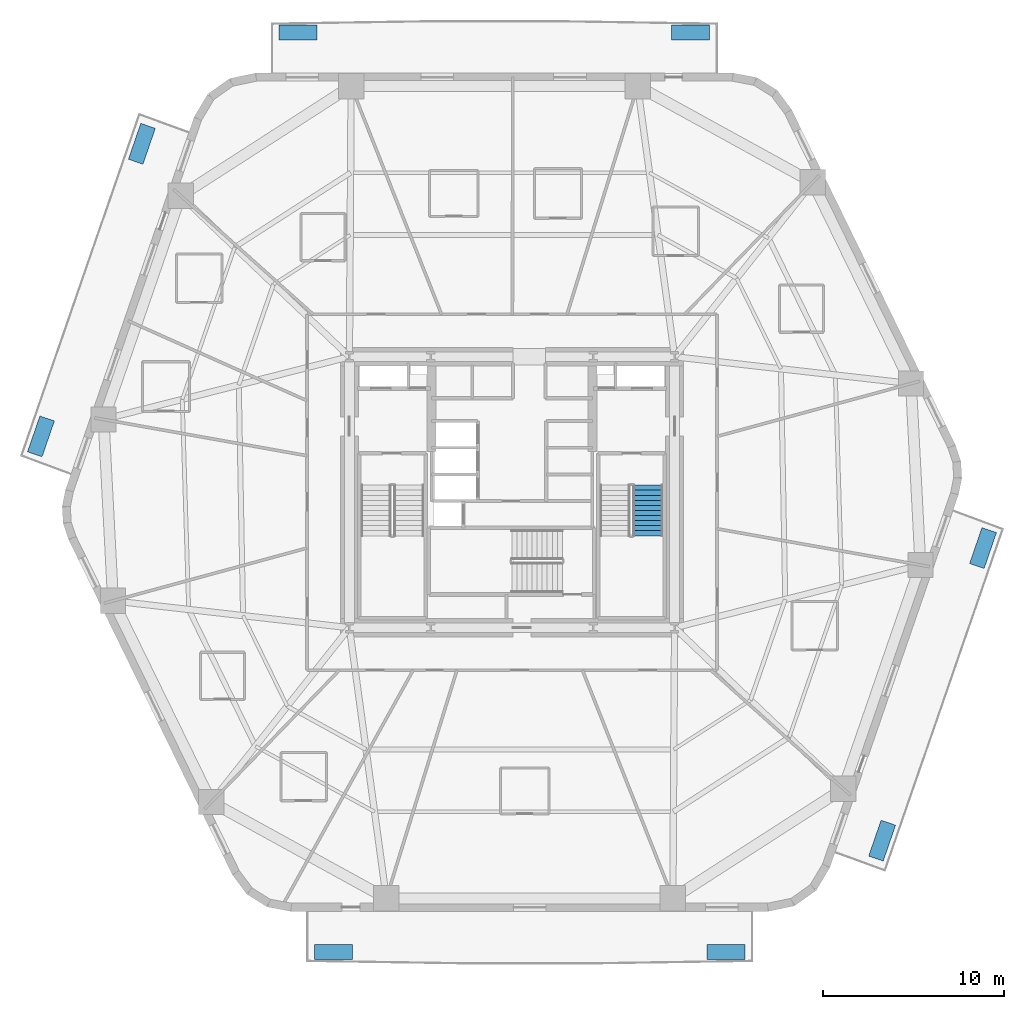
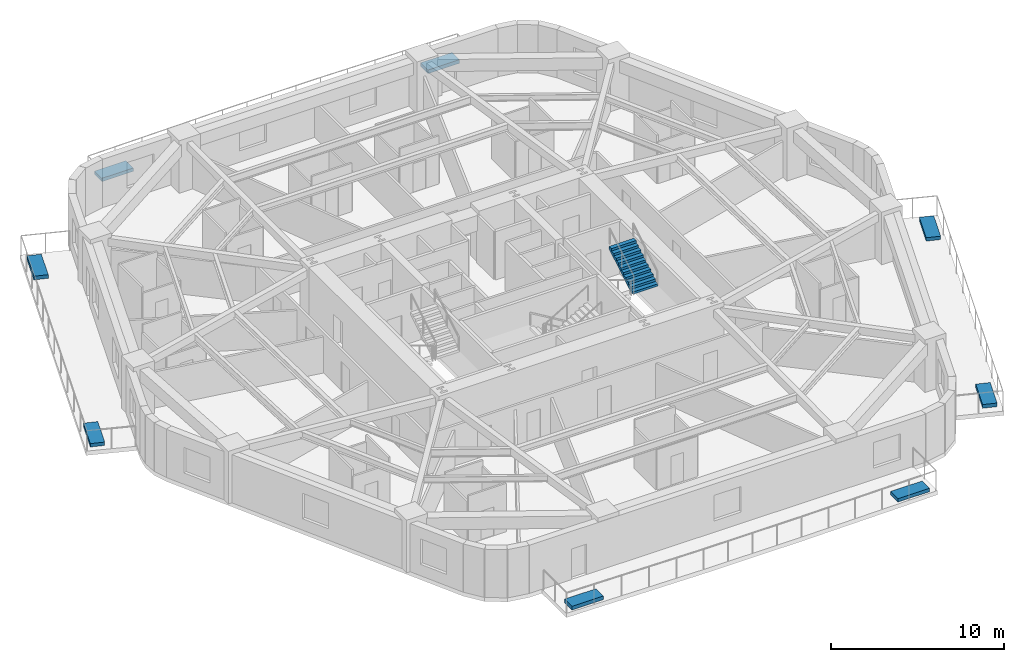
# One storey, part 7 of 10: 8 discrete accessories, 1 stair flight, 1 element without a shape of its own.
"""IFC4 building model written with IfcOpenShell, lengths in metres."""

from ifc_helpers import new_model, si_unit, direction, frame, origin, origin_2d, place, context, subcontext, project, spatial, polyline, rectangle, outline, extrude, material, type_object, element, aggregate, save


model = new_model("IFC4")

# Units and contexts
model_context = context("Model", 3, precision=1e-05, world=origin(), true_north=direction((0.0, 1.0)))
body_context = subcontext(model_context, "Body", "Model", "MODEL_VIEW")
ifc_project = project(units=[si_unit("LENGTHUNIT", "METRE"), si_unit("AREAUNIT", "SQUARE_METRE"), si_unit("VOLUMEUNIT", "CUBIC_METRE"), si_unit("PLANEANGLEUNIT", "RADIAN"), si_unit("MASSUNIT", "GRAM", prefix="KILO")], contexts=[model_context])

# Site, building, storey
site_placement = place(None, origin())
site = spatial("IfcSite", under=ifc_project, at=site_placement, CompositionType="ELEMENT")
building_placement = place(site_placement, origin())
building = spatial("IfcBuilding", under=site, at=building_placement, Name="Kilnhurst Terrace Hotel", CompositionType="ELEMENT")
storey_placement = place(building_placement, frame((0.0, 0.0, 74.89990234375)))
storey = spatial("IfcBuildingStorey", under=building, at=storey_placement, Name="L17", CompositionType="ELEMENT", Elevation=74.89990234375)

# Stair, stair flight
ifc_material_1 = material(Name="Concrete C50/60", Category="concrete")
stair_type = type_object("IfcStairType", Name="STR-CORE-1660", PredefinedType="HALF_TURN_STAIR", material=ifc_material_1)
stair_placement = place(storey_placement, origin())
stair = element("IfcStair", 1, at=stair_placement, inside=storey, type_object=stair_type, Name="L17 ST-2", PredefinedType="HALF_TURN_STAIR")
stair_flight_type = type_object("IfcStairFlightType", Name="FLT-RC-1660", PredefinedType="STRAIGHT", material=ifc_material_1)
stair_flight_placement = place(storey_placement, frame((7.52001953125, -2.409912109375, 1.85009765625), z_axis=(0.0, 0.0, 1.0), x_axis=(0.0, 1.0, 0.0)))
stair_flight = element("IfcStairFlight", 2, at=stair_flight_placement, type_object=stair_flight_type, Name="ST-2 flight 2", NumberOfRisers=11, NumberOfTreads=10, PredefinedType="STRAIGHT", RiserHeight=0.168181818, TreadLength=0.28, context=body_context, shape_type="SweptSolid", body=[
    extrude(outline(polyline([(0.0, 0.0), (0.0, 0.168212890625), (0.280029296875, 0.168212890625), (0.280029296875, 0.33642578125), (0.56005859375, 0.33642578125), (0.56005859375, 0.504638671875), (0.840087890625, 0.504638671875), (0.840087890625, 0.672607421875), (1.1201171875, 0.672607421875), (1.1201171875, 0.8408203125), (1.39990234375, 0.8408203125), (1.39990234375, 1.009033203125), (1.679931640625, 1.009033203125), (1.679931640625, 1.17724609375), (1.9599609375, 1.17724609375), (1.9599609375, 1.345458984375), (2.239990234375, 1.345458984375), (2.239990234375, 1.513671875), (2.52001953125, 1.513671875), (2.52001953125, 1.681884765625), (2.800048828125, 1.681884765625), (2.800048828125, 1.85009765625), (2.800048828125, 1.5068359375), (0.291015625, 0.0), (0.0, 0.0)])), frame((0.0, 0.830078125, 0.0), z_axis=(0.0, -1.0, 0.0), x_axis=(1.0, 0.0, 0.0)), (0.0, 0.0, 1.0), 1.659912109375),
])
aggregate(stair, [stair_flight])

# Discrete accessories
ifc_material_2 = material(Name="Precast Concrete C40/50 Shrub Planter", Category="concrete")
discrete_accessory_type_1 = type_object("IfcDiscreteAccessoryType", Name="PLN-SHRUB-240", PredefinedType="USERDEFINED", material=ifc_material_2)
for number, where, z_axis, x_axis, name in (
    (3, (11.841552734375, -25.449951171875, 0.0), (0.0, 0.0, 1.0), (1.0, 0.0, 0.0), "L17 Structural Tree Planter Box PLANTER BAL-L1A.2"),
    (4, (26.073486328125, -3.09130859375, 0.0), (0.0, 0.0, 1.0), (0.326063182175, 0.94534797891, 0.0), "L17 Structural Tree Planter Box PLANTER BAL-L1B.2"),
    (5, (-11.841552734375, 25.449951171875, 0.0), (0.0, 0.0, 1.0), (-1.0, 0.0, 0.0), "L17 Structural Tree Planter Box PLANTER BAL-L2A.2"),
    (6, (-26.073486328125, 3.09130859375, 0.0), (0.0, 0.0, 1.0), (-0.326063182175, -0.94534797891, 0.0), "L17 Structural Tree Planter Box PLANTER BAL-L2B.2"),
):
    element("IfcDiscreteAccessory", number, at=place(storey_placement, frame(where, z_axis=z_axis, x_axis=x_axis)), inside=storey, type_object=discrete_accessory_type_1, Name=name, ObjectType="PLANTER", PredefinedType="USERDEFINED", context=body_context, shape_type="SweptSolid", body=[
        extrude(rectangle(XDim=2.10009765625, YDim=0.85009765625, at=origin_2d()), origin(), (0.0, 0.0, 1.0), 0.239990234375),
    ])
ifc_material_3 = material(Name="Precast Concrete C40/50 Tree Planter", Category="concrete")
discrete_accessory_type_2 = type_object("IfcDiscreteAccessoryType", Name="PLN-TREE-260", PredefinedType="USERDEFINED", material=ifc_material_3)
for number, where, z_axis, x_axis, name in (
    (7, (-9.89208984375, -25.449951171875, 0.0), (0.0, 0.0, 1.0), (1.0, 0.0, 0.0), "L17 Structural Tree Planter Box PLANTER BAL-L1A.1"),
    (8, (20.488037109375, -19.285888671875, 0.0), (0.0, 0.0, 1.0), (0.326063182175, 0.94534797891, 0.0), "L17 Structural Tree Planter Box PLANTER BAL-L1B.1"),
    (9, (9.89208984375, 25.449951171875, 0.0), (0.0, 0.0, 1.0), (-1.0, 0.0, 0.0), "L17 Structural Tree Planter Box PLANTER BAL-L2A.1"),
    (10, (-20.488037109375, 19.285888671875, 0.0), (0.0, 0.0, 1.0), (-0.326063182175, -0.94534797891, 0.0), "L17 Structural Tree Planter Box PLANTER BAL-L2B.1"),
):
    element("IfcDiscreteAccessory", number, at=place(storey_placement, frame(where, z_axis=z_axis, x_axis=x_axis)), inside=storey, type_object=discrete_accessory_type_2, Name=name, ObjectType="PLANTER", PredefinedType="USERDEFINED", context=body_context, shape_type="SweptSolid", body=[
        extrude(rectangle(XDim=2.10009765625, YDim=0.85009765625, at=origin_2d()), origin(), (0.0, 0.0, 1.0), 0.260009765625),
    ])

save(model, "model.ifc")
